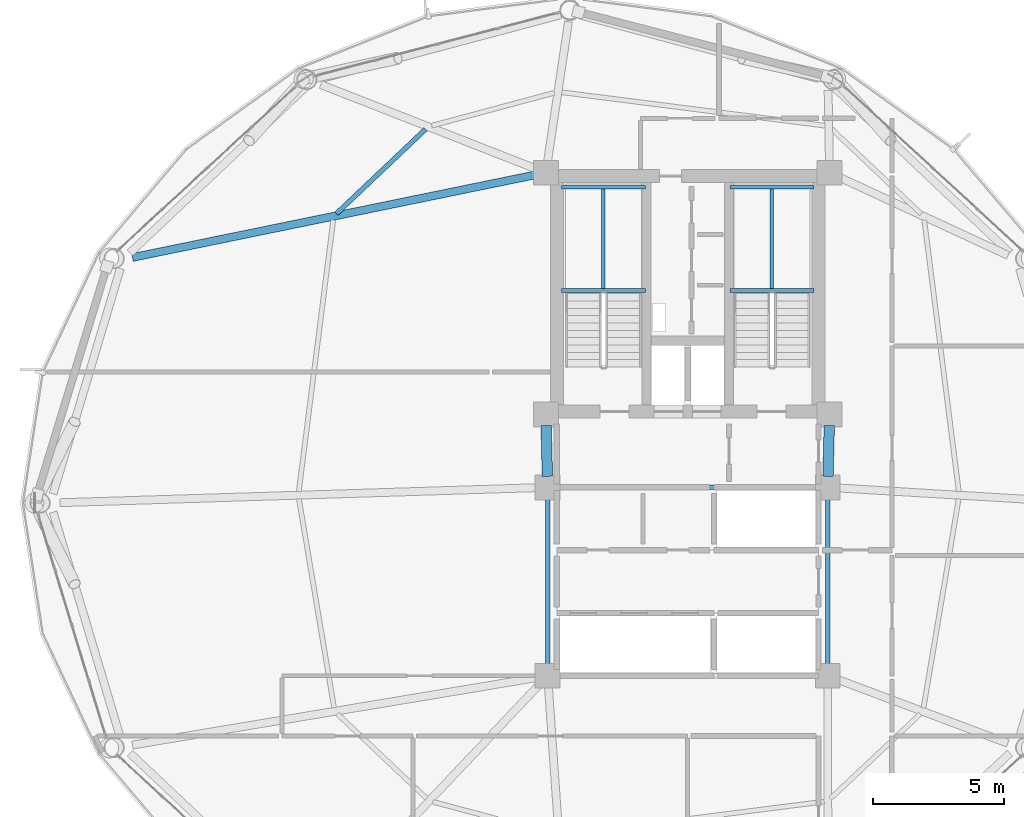
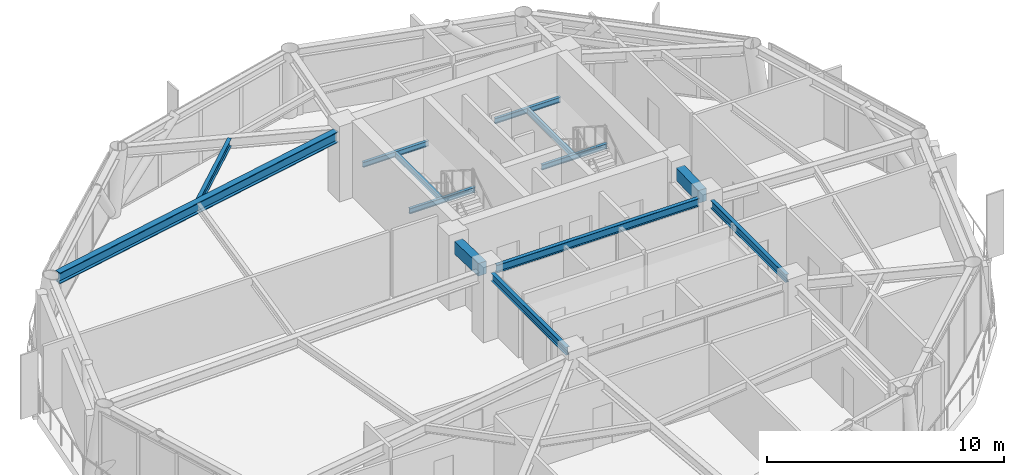
# One storey, part 13 of 26: 13 beams.
"""IFC4 building model written with IfcOpenShell, lengths in metres."""

from ifc_helpers import new_model, si_unit, direction, frame, origin, origin_2d, place, context, subcontext, project, spatial, rectangle, i_section, extrude, material, material_profile, profile_set, type_object, element, save


model = new_model("IFC4")

# Units and contexts
model_context = context("Model", 3, precision=1e-05, world=origin(), true_north=direction((0.0, 1.0)))
body_context = subcontext(model_context, "Body", "Model", "MODEL_VIEW")
ifc_project = project(units=[si_unit("LENGTHUNIT", "METRE"), si_unit("AREAUNIT", "SQUARE_METRE"), si_unit("VOLUMEUNIT", "CUBIC_METRE"), si_unit("PLANEANGLEUNIT", "RADIAN"), si_unit("MASSUNIT", "GRAM", prefix="KILO")], contexts=[model_context])

# Site, building, storey
site_placement = place(None, origin())
site = spatial("IfcSite", under=ifc_project, at=site_placement, CompositionType="ELEMENT")
building_placement = place(site_placement, origin())
building = spatial("IfcBuilding", under=site, at=building_placement, Name="Varnakorn Sky Granary", CompositionType="ELEMENT")
storey_placement = place(building_placement, frame((0.0, 0.0, 169.5)))
storey = spatial("IfcBuildingStorey", under=building, at=storey_placement, Name="L42", CompositionType="ELEMENT", Elevation=169.5)

# Beams
ifc_material_1 = material(Name="Concrete C50/60", Category="concrete")
ifc_material_profile_1 = material_profile(ifc_material_1, rectangle(XDim=0.39990234375, YDim=0.64990234375, at=origin_2d()), Name="RC 400x650")
ifc_profile_set_1 = profile_set([ifc_material_profile_1], Name="Concrete C50/60")
beam_type_1 = type_object("IfcBeamType", Name="BM-LIN-650", PredefinedType="LINTEL", material=ifc_profile_set_1)
for number, where, z_axis, x_axis, name in (
    (1, (-2.409423828125, 2.960205078125, 3.125), (0.025158763514, -0.999683468213, 0.0), (0.999683468213, 0.025158763514, 0.0), "Core Spine Framing Beam 1 L42"),
    (2, (8.409423828125, 2.960205078125, 3.125), (-0.025158763514, -0.999683468213, 0.0), (0.999683468213, -0.025158763514, 0.0), "Core Spine Framing Beam 2 L42"),
):
    element("IfcBeam", number, at=place(storey_placement, frame(where, z_axis=z_axis, x_axis=x_axis)), inside=storey, type_object=beam_type_1, Name=name, PredefinedType="LINTEL", context=body_context, shape_type="SweptSolid", body=[
        extrude(rectangle(XDim=0.39990234375, YDim=0.64990234375, at=origin_2d()), origin(), (0.0, 0.0, 1.0), 1.94091796875),
    ])
ifc_material_2 = material(Name="Steel S355JR", Category="steel")
ifc_material_profile_2 = material_profile(ifc_material_2, i_section(OverallWidth=0.135009765625, OverallDepth=0.27001953125, WebThickness=0.006591796875, FlangeThickness=0.01025390625, at=origin_2d()), Name="IPE 270")
ifc_profile_set_2 = profile_set([ifc_material_profile_2], Name="Steel S355JR")
beam_type_2 = type_object("IfcBeamType", Name="BM-LND-270", PredefinedType="BEAM", material=ifc_profile_set_2)
for number, where, z_axis, x_axis, name in (
    (3, (-1.820068359375, 8.1201171875, 1.614990234375), (1.0, 0.0, 0.0), (0.0, 1.0, 0.0), "Stair ST-1 Landing Trimmer Beam A L42-1"),
    (4, (-1.820068359375, 12.06005859375, 1.614990234375), (1.0, 0.0, 0.0), (0.0, 1.0, 0.0), "Stair ST-1 Landing Trimmer Beam B L42-1"),
):
    element("IfcBeam", number, at=place(storey_placement, frame(where, z_axis=z_axis, x_axis=x_axis)), inside=storey, type_object=beam_type_2, Name=name, PredefinedType="BEAM", context=body_context, shape_type="SweptSolid", body=[
        extrude(i_section(OverallWidth=0.135009765625, OverallDepth=0.27001953125, WebThickness=0.006591796875, FlangeThickness=0.01025390625, at=origin_2d()), origin(), (0.0, 0.0, 1.0), 3.199951171875),
    ])
beam_1_placement = place(storey_placement, frame((-0.219970703125, 8.1201171875, 1.614990234375), z_axis=(0.0, 1.0, 0.0), x_axis=(-1.0, 0.0, 0.0)))
element("IfcBeam", 5, at=beam_1_placement, inside=storey, type_object=beam_type_2, Name="Stair ST-1 Landing Cross Beam C L42-1", PredefinedType="BEAM", context=body_context, shape_type="SweptSolid", body=[
    extrude(i_section(OverallWidth=0.135009765625, OverallDepth=0.27001953125, WebThickness=0.006591796875, FlangeThickness=0.01025390625, at=origin_2d()), origin(), (0.0, 0.0, 1.0), 3.93994140625),
])
for number, where, z_axis, x_axis, name in (
    (6, (4.6201171875, 8.1201171875, 1.614990234375), (1.0, 0.0, 0.0), (0.0, 1.0, 0.0), "Stair ST-2 Landing Trimmer Beam A L42-1"),
    (7, (4.6201171875, 12.06005859375, 1.614990234375), (1.0, 0.0, 0.0), (0.0, 1.0, 0.0), "Stair ST-2 Landing Trimmer Beam B L42-1"),
):
    element("IfcBeam", number, at=place(storey_placement, frame(where, z_axis=z_axis, x_axis=x_axis)), inside=storey, type_object=beam_type_2, Name=name, PredefinedType="BEAM", context=body_context, shape_type="SweptSolid", body=[
        extrude(i_section(OverallWidth=0.135009765625, OverallDepth=0.27001953125, WebThickness=0.006591796875, FlangeThickness=0.01025390625, at=origin_2d()), origin(), (0.0, 0.0, 1.0), 3.199951171875),
    ])
beam_2_placement = place(storey_placement, frame((6.219970703125, 8.1201171875, 1.614990234375), z_axis=(0.0, 1.0, 0.0), x_axis=(-1.0, 0.0, 0.0)))
element("IfcBeam", 8, at=beam_2_placement, inside=storey, type_object=beam_type_2, Name="Stair ST-2 Landing Cross Beam C L42-1", PredefinedType="BEAM", context=body_context, shape_type="SweptSolid", body=[
    extrude(i_section(OverallWidth=0.135009765625, OverallDepth=0.27001953125, WebThickness=0.006591796875, FlangeThickness=0.01025390625, at=origin_2d()), origin(), (0.0, 0.0, 1.0), 3.93994140625),
])
ifc_material_profile_3 = material_profile(ifc_material_2, i_section(OverallWidth=0.300048828125, OverallDepth=0.550048828125, WebThickness=0.014892578125, FlangeThickness=0.029052734375, at=origin_2d()), Name="HE 550 B")
ifc_profile_set_3 = profile_set([ifc_material_profile_3], Name="Steel S355JR")
beam_type_3 = type_object("IfcBeamType", Name="BM-RAD-Z3", PredefinedType="BEAM", material=ifc_profile_set_3)
beam_3_placement = place(storey_placement, frame((-2.831298828125, 12.53564453125, 3.175048828125), z_axis=(-0.97961658717, -0.20087643501, 0.0), x_axis=(0.20087643501, -0.97961658717, 0.0)))
element("IfcBeam", 9, at=beam_3_placement, inside=storey, type_object=beam_type_3, Name="Radial Floor Girder RG06 L42", PredefinedType="BEAM", context=body_context, shape_type="SweptSolid", body=[
    extrude(i_section(OverallWidth=0.300048828125, OverallDepth=0.550048828125, WebThickness=0.014892578125, FlangeThickness=0.029052734375, at=origin_2d()), origin(), (0.0, 0.0, 1.0), 15.703857421875),
])
ifc_material_profile_4 = material_profile(ifc_material_2, i_section(OverallWidth=0.179931640625, OverallDepth=0.39990234375, WebThickness=0.008544921875, FlangeThickness=0.013427734375, at=origin_2d()), Name="IPE 400")
ifc_profile_set_4 = profile_set([ifc_material_profile_4], Name="Steel S355JR")
beam_type_4 = type_object("IfcBeamType", Name="BM-SEC-Z3", PredefinedType="BEAM", material=ifc_profile_set_4)
beam_4_placement = place(storey_placement, frame((-7.015380859375, 14.2841796875, 3.25), z_axis=(-0.725684743136, -0.688027363976, 0.0), x_axis=(0.688027363976, -0.725684743136, 0.0)))
element("IfcBeam", 10, at=beam_4_placement, inside=storey, type_object=beam_type_4, Name="Secondary Floor Chord Beam MSB05 L42", PredefinedType="BEAM", context=body_context, shape_type="SweptSolid", body=[
    extrude(i_section(OverallWidth=0.179931640625, OverallDepth=0.39990234375, WebThickness=0.008544921875, FlangeThickness=0.013427734375, at=origin_2d()), origin(), (0.0, 0.0, 1.0), 4.69384765625),
])
for number, where, z_axis, x_axis, name in (
    (11, (-2.35009765625, 0.179931640625, 3.25), (0.0, -1.0, 0.0), (1.0, 0.0, 0.0), "Core Spine Framing Beam 3 L42"),
    (12, (8.35009765625, 0.179931640625, 3.25), (0.0, -1.0, 0.0), (1.0, 0.0, 0.0), "Core Spine Framing Beam 4 L42"),
):
    element("IfcBeam", number, at=place(storey_placement, frame(where, z_axis=z_axis, x_axis=x_axis)), inside=storey, type_object=beam_type_4, Name=name, PredefinedType="BEAM", context=body_context, shape_type="SweptSolid", body=[
        extrude(i_section(OverallWidth=0.179931640625, OverallDepth=0.39990234375, WebThickness=0.008544921875, FlangeThickness=0.013427734375, at=origin_2d()), origin(), (0.0, 0.0, 1.0), 6.35986328125),
    ])
beam_5_placement = place(storey_placement, frame((-1.929931640625, 0.60009765625, 3.25), z_axis=(1.0, 0.0, 0.0), x_axis=(0.0, 1.0, 0.0)))
element("IfcBeam", 13, at=beam_5_placement, inside=storey, type_object=beam_type_4, Name="Core Spine Framing Beam 5 L42", PredefinedType="BEAM", context=body_context, shape_type="SweptSolid", body=[
    extrude(i_section(OverallWidth=0.179931640625, OverallDepth=0.39990234375, WebThickness=0.008544921875, FlangeThickness=0.013427734375, at=origin_2d()), origin(), (0.0, 0.0, 1.0), 9.85986328125),
])

save(model, "model.ifc")
